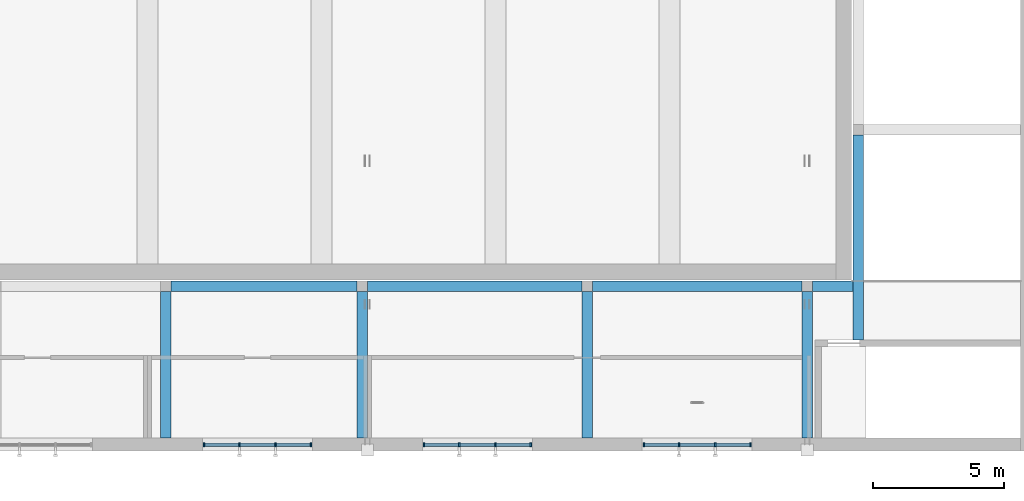
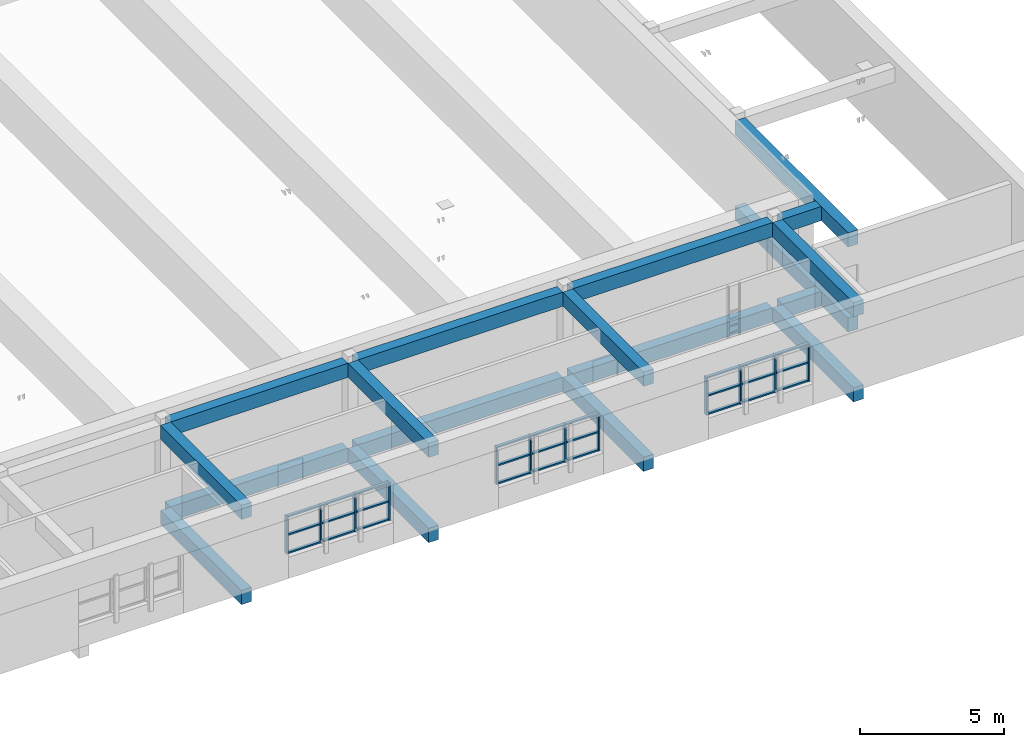
# One storey, part 5 of 28: 39 members, 18 beams, 3 elements without a shape of their own.
"""IFC4 building model written with IfcOpenShell, lengths in metres."""

from ifc_helpers import new_model, si_unit, direction, frame, origin, origin_2d, place, context, subcontext, project, spatial, rectangle, extrude, material, material_profile, profile_set, type_object, element, aggregate, save


model = new_model("IFC4")

# Units and contexts
model_context = context("Model", 3, precision=1e-05, world=origin(), true_north=direction((0.0, 1.0)))
body_context = subcontext(model_context, "Body", "Model", "MODEL_VIEW")
ifc_project = project(units=[si_unit("LENGTHUNIT", "METRE"), si_unit("AREAUNIT", "SQUARE_METRE"), si_unit("VOLUMEUNIT", "CUBIC_METRE"), si_unit("PLANEANGLEUNIT", "RADIAN"), si_unit("MASSUNIT", "GRAM", prefix="KILO")], contexts=[model_context])

# Site, building, storey
site_placement = place(None, origin())
site = spatial("IfcSite", under=ifc_project, at=site_placement, CompositionType="ELEMENT")
building_placement = place(site_placement, origin())
building = spatial("IfcBuilding", under=site, at=building_placement, Name="Ljudholm Concert House", CompositionType="ELEMENT")
storey_placement = place(building_placement, frame((0.0, 0.0, 19.199951171875)))
storey = spatial("IfcBuildingStorey", under=building, at=storey_placement, Name="L04", CompositionType="ELEMENT", Elevation=19.199951171875)

# Curtain wall, members
ifc_material_1 = material(Name="Aluminium curtain wall with impact-rated laminated glass", Category="aluminium")
curtain_wall_type = type_object("IfcCurtainWallType", Name="CURTAIN WALL 1400", PredefinedType="NOTDEFINED", material=ifc_material_1)
curtain_wall_1_placement = place(storey_placement, origin())
curtain_wall_1 = element("IfcCurtainWall", 1, at=curtain_wall_1_placement, inside=storey, type_object=curtain_wall_type, Name="Promenade curtain wall", PredefinedType="NOTDEFINED")
ifc_material_2 = material(Name="Aluminium extrusion", Category="aluminium")
ifc_material_profile_1 = material_profile(ifc_material_2, rectangle(XDim=0.159912109375, YDim=0.06005859375, at=origin_2d()), Name="MULLION 60x160")
ifc_profile_set_1 = profile_set([ifc_material_profile_1], Name="Aluminium extrusion")
member_type_1 = type_object("IfcMemberType", Name="MULLION 60x160", PredefinedType="MULLION", material=ifc_profile_set_1)
member_1_placement = place(storey_placement, frame((64.9599609375, 54.39990234375, 0.900146484375), z_axis=(0.0, 0.0, 1.0), x_axis=(0.0, 1.0, 0.0)))
member_1 = element("IfcMember", 2, at=member_1_placement, type_object=member_type_1, Name="Mullion", PredefinedType="MULLION", context=body_context, shape_type="SweptSolid", body=[
    extrude(rectangle(XDim=0.159912109375, YDim=0.06005859375, at=origin_2d()), origin(), (0.0, 0.0, 1.0), 1.599853515625),
])
member_2_placement = place(storey_placement, frame((66.31005859375, 54.39990234375, 0.900146484375), z_axis=(0.0, 0.0, 1.0), x_axis=(0.0, 1.0, 0.0)))
member_2 = element("IfcMember", 3, at=member_2_placement, type_object=member_type_1, Name="Mullion", PredefinedType="MULLION", context=body_context, shape_type="SweptSolid", body=[
    extrude(rectangle(XDim=0.159912109375, YDim=0.06005859375, at=origin_2d()), origin(), (0.0, 0.0, 1.0), 1.599853515625),
])
member_3_placement = place(storey_placement, frame((67.68994140625, 54.39990234375, 0.900146484375), z_axis=(0.0, 0.0, 1.0), x_axis=(0.0, 1.0, 0.0)))
member_3 = element("IfcMember", 4, at=member_3_placement, type_object=member_type_1, Name="Mullion", PredefinedType="MULLION", context=body_context, shape_type="SweptSolid", body=[
    extrude(rectangle(XDim=0.159912109375, YDim=0.06005859375, at=origin_2d()), origin(), (0.0, 0.0, 1.0), 1.599853515625),
])
member_4_placement = place(storey_placement, frame((69.0400390625, 54.39990234375, 0.900146484375), z_axis=(0.0, 0.0, 1.0), x_axis=(0.0, 1.0, 0.0)))
member_4 = element("IfcMember", 5, at=member_4_placement, type_object=member_type_1, Name="Mullion", PredefinedType="MULLION", context=body_context, shape_type="SweptSolid", body=[
    extrude(rectangle(XDim=0.159912109375, YDim=0.06005859375, at=origin_2d()), origin(), (0.0, 0.0, 1.0), 1.599853515625),
])

curtain_wall_2_placement = place(storey_placement, origin())
curtain_wall_2 = element("IfcCurtainWall", 6, at=curtain_wall_2_placement, inside=storey, type_object=curtain_wall_type, Name="Promenade curtain wall", PredefinedType="NOTDEFINED")
member_5_placement = place(storey_placement, frame((73.360107421875, 54.39990234375, 0.900146484375), z_axis=(0.0, 0.0, 1.0), x_axis=(0.0, 1.0, 0.0)))
member_5 = element("IfcMember", 7, at=member_5_placement, type_object=member_type_1, Name="Mullion", PredefinedType="MULLION", context=body_context, shape_type="SweptSolid", body=[
    extrude(rectangle(XDim=0.159912109375, YDim=0.06005859375, at=origin_2d()), origin(), (0.0, 0.0, 1.0), 1.599853515625),
])
member_6_placement = place(storey_placement, frame((74.7099609375, 54.39990234375, 0.900146484375), z_axis=(0.0, 0.0, 1.0), x_axis=(0.0, 1.0, 0.0)))
member_6 = element("IfcMember", 8, at=member_6_placement, type_object=member_type_1, Name="Mullion", PredefinedType="MULLION", context=body_context, shape_type="SweptSolid", body=[
    extrude(rectangle(XDim=0.159912109375, YDim=0.06005859375, at=origin_2d()), origin(), (0.0, 0.0, 1.0), 1.599853515625),
])
member_7_placement = place(storey_placement, frame((76.090087890625, 54.39990234375, 0.900146484375), z_axis=(0.0, 0.0, 1.0), x_axis=(0.0, 1.0, 0.0)))
member_7 = element("IfcMember", 9, at=member_7_placement, type_object=member_type_1, Name="Mullion", PredefinedType="MULLION", context=body_context, shape_type="SweptSolid", body=[
    extrude(rectangle(XDim=0.159912109375, YDim=0.06005859375, at=origin_2d()), origin(), (0.0, 0.0, 1.0), 1.599853515625),
])
member_8_placement = place(storey_placement, frame((77.43994140625, 54.39990234375, 0.900146484375), z_axis=(0.0, 0.0, 1.0), x_axis=(0.0, 1.0, 0.0)))
member_8 = element("IfcMember", 10, at=member_8_placement, type_object=member_type_1, Name="Mullion", PredefinedType="MULLION", context=body_context, shape_type="SweptSolid", body=[
    extrude(rectangle(XDim=0.159912109375, YDim=0.06005859375, at=origin_2d()), origin(), (0.0, 0.0, 1.0), 1.599853515625),
])

curtain_wall_3_placement = place(storey_placement, origin())
curtain_wall_3 = element("IfcCurtainWall", 11, at=curtain_wall_3_placement, inside=storey, type_object=curtain_wall_type, Name="Promenade curtain wall", PredefinedType="NOTDEFINED")
member_9_placement = place(storey_placement, frame((81.760009765625, 54.39990234375, 0.900146484375), z_axis=(0.0, 0.0, 1.0), x_axis=(0.0, 1.0, 0.0)))
member_9 = element("IfcMember", 12, at=member_9_placement, type_object=member_type_1, Name="Mullion", PredefinedType="MULLION", context=body_context, shape_type="SweptSolid", body=[
    extrude(rectangle(XDim=0.159912109375, YDim=0.06005859375, at=origin_2d()), origin(), (0.0, 0.0, 1.0), 1.599853515625),
])
member_10_placement = place(storey_placement, frame((83.110107421875, 54.39990234375, 0.900146484375), z_axis=(0.0, 0.0, 1.0), x_axis=(0.0, 1.0, 0.0)))
member_10 = element("IfcMember", 13, at=member_10_placement, type_object=member_type_1, Name="Mullion", PredefinedType="MULLION", context=body_context, shape_type="SweptSolid", body=[
    extrude(rectangle(XDim=0.159912109375, YDim=0.06005859375, at=origin_2d()), origin(), (0.0, 0.0, 1.0), 1.599853515625),
])
member_11_placement = place(storey_placement, frame((84.489990234375, 54.39990234375, 0.900146484375), z_axis=(0.0, 0.0, 1.0), x_axis=(0.0, 1.0, 0.0)))
member_11 = element("IfcMember", 14, at=member_11_placement, type_object=member_type_1, Name="Mullion", PredefinedType="MULLION", context=body_context, shape_type="SweptSolid", body=[
    extrude(rectangle(XDim=0.159912109375, YDim=0.06005859375, at=origin_2d()), origin(), (0.0, 0.0, 1.0), 1.599853515625),
])
member_12_placement = place(storey_placement, frame((85.840087890625, 54.39990234375, 0.900146484375), z_axis=(0.0, 0.0, 1.0), x_axis=(0.0, 1.0, 0.0)))
member_12 = element("IfcMember", 15, at=member_12_placement, type_object=member_type_1, Name="Mullion", PredefinedType="MULLION", context=body_context, shape_type="SweptSolid", body=[
    extrude(rectangle(XDim=0.159912109375, YDim=0.06005859375, at=origin_2d()), origin(), (0.0, 0.0, 1.0), 1.599853515625),
])

# Beams
ifc_material_3 = material(Name="Concrete 6,500 psi", Category="concrete")
ifc_material_profile_2 = material_profile(ifc_material_3, rectangle(XDim=0.39990234375, YDim=0.60009765625, at=origin_2d()), Name="RC BEAM 400x600")
ifc_profile_set_2 = profile_set([ifc_material_profile_2], Name="Concrete 6,500 psi")
beam_type = type_object("IfcBeamType", Name="RC BEAM 400x600", PredefinedType="BEAM", material=ifc_profile_set_2)
beam_1_placement = place(storey_placement, frame((63.699951171875, 60.449951171875, -0.550048828125), z_axis=(1.0, 0.0, 0.0), x_axis=(0.0, 1.0, 0.0)))
element("IfcBeam", 16, at=beam_1_placement, inside=storey, type_object=beam_type, Name="Ring beam", PredefinedType="BEAM", context=body_context, shape_type="SweptSolid", body=[
    extrude(rectangle(XDim=0.39990234375, YDim=0.60009765625, at=origin_2d()), origin(), (0.0, 0.0, 1.0), 7.10009765625),
])
beam_2_placement = place(storey_placement, frame((71.199951171875, 60.449951171875, -0.550048828125), z_axis=(1.0, 0.0, 0.0), x_axis=(0.0, 1.0, 0.0)))
element("IfcBeam", 17, at=beam_2_placement, inside=storey, type_object=beam_type, Name="Ring beam", PredefinedType="BEAM", context=body_context, shape_type="SweptSolid", body=[
    extrude(rectangle(XDim=0.39990234375, YDim=0.60009765625, at=origin_2d()), origin(), (0.0, 0.0, 1.0), 8.199951171875),
])
beam_3_placement = place(storey_placement, frame((79.800048828125, 60.449951171875, -0.550048828125), z_axis=(1.0, 0.0, 0.0), x_axis=(0.0, 1.0, 0.0)))
element("IfcBeam", 18, at=beam_3_placement, inside=storey, type_object=beam_type, Name="Ring beam", PredefinedType="BEAM", context=body_context, shape_type="SweptSolid", body=[
    extrude(rectangle(XDim=0.39990234375, YDim=0.60009765625, at=origin_2d()), origin(), (0.0, 0.0, 1.0), 8.0),
])
for number, where, z_axis, x_axis, name in (
    (19, (63.5, 60.25, -0.550048828125), (0.0, -1.0, 0.0), (1.0, 0.0, 0.0), "Ring cross beam"),
    (20, (71.0, 60.25, -0.550048828125), (0.0, -1.0, 0.0), (1.0, 0.0, 0.0), "Ring cross beam"),
    (21, (79.60009765625, 60.25, -0.550048828125), (0.0, -1.0, 0.0), (1.0, 0.0, 0.0), "Ring cross beam"),
    (22, (88.0, 60.25, -0.550048828125), (0.0, -1.0, 0.0), (1.0, 0.0, 0.0), "Ring cross beam"),
):
    element("IfcBeam", number, at=place(storey_placement, frame(where, z_axis=z_axis, x_axis=x_axis)), inside=storey, type_object=beam_type, Name=name, PredefinedType="BEAM", context=body_context, shape_type="SweptSolid", body=[
        extrude(rectangle(XDim=0.39990234375, YDim=0.60009765625, at=origin_2d()), origin(), (0.0, 0.0, 1.0), 5.60009765625),
    ])
beam_4_placement = place(storey_placement, frame((88.199951171875, 60.449951171875, -0.550048828125), z_axis=(1.0, 0.0, 0.0), x_axis=(0.0, 1.0, 0.0)))
element("IfcBeam", 23, at=beam_4_placement, inside=storey, type_object=beam_type, Name="Ring beam", PredefinedType="BEAM", context=body_context, shape_type="SweptSolid", body=[
    extrude(rectangle(XDim=0.39990234375, YDim=0.60009765625, at=origin_2d()), origin(), (0.0, 0.0, 1.0), 1.550048828125),
])
beam_5_placement = place(storey_placement, frame((89.949951171875, 58.39990234375, -0.550048828125), z_axis=(0.0, 1.0, 0.0), x_axis=(-1.0, 0.0, 0.0)))
element("IfcBeam", 24, at=beam_5_placement, inside=storey, type_object=beam_type, Name="Ring beam", PredefinedType="BEAM", context=body_context, shape_type="SweptSolid", body=[
    extrude(rectangle(XDim=0.39990234375, YDim=0.60009765625, at=origin_2d()), origin(), (0.0, 0.0, 1.0), 7.830078125),
])
beam_6_placement = place(storey_placement, frame((63.699951171875, 60.449951171875, 3.050048828125), z_axis=(1.0, 0.0, 0.0), x_axis=(0.0, 1.0, 0.0)))
element("IfcBeam", 25, at=beam_6_placement, inside=storey, type_object=beam_type, Name="Ring beam", PredefinedType="BEAM", context=body_context, shape_type="SweptSolid", body=[
    extrude(rectangle(XDim=0.39990234375, YDim=0.60009765625, at=origin_2d()), origin(), (0.0, 0.0, 1.0), 7.10009765625),
])
beam_7_placement = place(storey_placement, frame((71.199951171875, 60.449951171875, 3.050048828125), z_axis=(1.0, 0.0, 0.0), x_axis=(0.0, 1.0, 0.0)))
element("IfcBeam", 26, at=beam_7_placement, inside=storey, type_object=beam_type, Name="Ring beam", PredefinedType="BEAM", context=body_context, shape_type="SweptSolid", body=[
    extrude(rectangle(XDim=0.39990234375, YDim=0.60009765625, at=origin_2d()), origin(), (0.0, 0.0, 1.0), 8.199951171875),
])
beam_8_placement = place(storey_placement, frame((79.800048828125, 60.449951171875, 3.050048828125), z_axis=(1.0, 0.0, 0.0), x_axis=(0.0, 1.0, 0.0)))
element("IfcBeam", 27, at=beam_8_placement, inside=storey, type_object=beam_type, Name="Ring beam", PredefinedType="BEAM", context=body_context, shape_type="SweptSolid", body=[
    extrude(rectangle(XDim=0.39990234375, YDim=0.60009765625, at=origin_2d()), origin(), (0.0, 0.0, 1.0), 8.0),
])
for number, where, z_axis, x_axis, name in (
    (28, (63.5, 60.25, 3.050048828125), (0.0, -1.0, 0.0), (1.0, 0.0, 0.0), "Ring cross beam"),
    (29, (71.0, 60.25, 3.050048828125), (0.0, -1.0, 0.0), (1.0, 0.0, 0.0), "Ring cross beam"),
    (30, (79.60009765625, 60.25, 3.050048828125), (0.0, -1.0, 0.0), (1.0, 0.0, 0.0), "Ring cross beam"),
    (31, (88.0, 60.25, 3.050048828125), (0.0, -1.0, 0.0), (1.0, 0.0, 0.0), "Ring cross beam"),
):
    element("IfcBeam", number, at=place(storey_placement, frame(where, z_axis=z_axis, x_axis=x_axis)), inside=storey, type_object=beam_type, Name=name, PredefinedType="BEAM", context=body_context, shape_type="SweptSolid", body=[
        extrude(rectangle(XDim=0.39990234375, YDim=0.60009765625, at=origin_2d()), origin(), (0.0, 0.0, 1.0), 5.60009765625),
    ])
beam_9_placement = place(storey_placement, frame((88.199951171875, 60.449951171875, 3.050048828125), z_axis=(1.0, 0.0, 0.0), x_axis=(0.0, 1.0, 0.0)))
element("IfcBeam", 32, at=beam_9_placement, inside=storey, type_object=beam_type, Name="Ring beam", PredefinedType="BEAM", context=body_context, shape_type="SweptSolid", body=[
    extrude(rectangle(XDim=0.39990234375, YDim=0.60009765625, at=origin_2d()), origin(), (0.0, 0.0, 1.0), 1.550048828125),
])
beam_10_placement = place(storey_placement, frame((89.949951171875, 58.39990234375, 3.050048828125), z_axis=(0.0, 1.0, 0.0), x_axis=(-1.0, 0.0, 0.0)))
element("IfcBeam", 33, at=beam_10_placement, inside=storey, type_object=beam_type, Name="Ring beam", PredefinedType="BEAM", context=body_context, shape_type="SweptSolid", body=[
    extrude(rectangle(XDim=0.39990234375, YDim=0.60009765625, at=origin_2d()), origin(), (0.0, 0.0, 1.0), 7.830078125),
])

# Member
ifc_material_4 = material(Name="Aluminium extrusion", Category="aluminium")
ifc_material_profile_3 = material_profile(ifc_material_4, rectangle(XDim=0.1201171875, YDim=0.06005859375, at=origin_2d()), Name="TRANSOM 60x120")
ifc_profile_set_3 = profile_set([ifc_material_profile_3], Name="Aluminium extrusion")
member_type_2 = type_object("IfcMemberType", Name="TRANSOM 60x120", PredefinedType="USERDEFINED", material=ifc_profile_set_3)
member_13_placement = place(storey_placement, frame((64.989990234375, 54.39990234375, 0.929931640625), z_axis=(1.0, 0.0, 0.0), x_axis=(0.0, 1.0, 0.0)))
member_13 = element("IfcMember", 34, at=member_13_placement, type_object=member_type_2, Name="Transom", ObjectType="TRANSOM", PredefinedType="USERDEFINED", context=body_context, shape_type="SweptSolid", body=[
    extrude(rectangle(XDim=0.1201171875, YDim=0.06005859375, at=origin_2d()), origin(), (0.0, 0.0, 1.0), 1.2900390625),
])

member_14_placement = place(storey_placement, frame((64.989990234375, 54.39990234375, 1.699951171875), z_axis=(1.0, 0.0, 0.0), x_axis=(0.0, 1.0, 0.0)))
member_14 = element("IfcMember", 35, at=member_14_placement, type_object=member_type_2, Name="Transom", ObjectType="TRANSOM", PredefinedType="USERDEFINED", context=body_context, shape_type="SweptSolid", body=[
    extrude(rectangle(XDim=0.1201171875, YDim=0.06005859375, at=origin_2d()), origin(), (0.0, 0.0, 1.0), 1.2900390625),
])

member_15_placement = place(storey_placement, frame((64.989990234375, 54.39990234375, 2.469970703125), z_axis=(1.0, 0.0, 0.0), x_axis=(0.0, 1.0, 0.0)))
member_15 = element("IfcMember", 36, at=member_15_placement, type_object=member_type_2, Name="Transom", ObjectType="TRANSOM", PredefinedType="USERDEFINED", context=body_context, shape_type="SweptSolid", body=[
    extrude(rectangle(XDim=0.1201171875, YDim=0.06005859375, at=origin_2d()), origin(), (0.0, 0.0, 1.0), 1.2900390625),
])

member_16_placement = place(storey_placement, frame((66.340087890625, 54.39990234375, 0.929931640625), z_axis=(1.0, 0.0, 0.0), x_axis=(0.0, 1.0, 0.0)))
member_16 = element("IfcMember", 37, at=member_16_placement, type_object=member_type_2, Name="Transom", ObjectType="TRANSOM", PredefinedType="USERDEFINED", context=body_context, shape_type="SweptSolid", body=[
    extrude(rectangle(XDim=0.1201171875, YDim=0.06005859375, at=origin_2d()), origin(), (0.0, 0.0, 1.0), 1.31982421875),
])

member_17_placement = place(storey_placement, frame((66.340087890625, 54.39990234375, 1.699951171875), z_axis=(1.0, 0.0, 0.0), x_axis=(0.0, 1.0, 0.0)))
member_17 = element("IfcMember", 38, at=member_17_placement, type_object=member_type_2, Name="Transom", ObjectType="TRANSOM", PredefinedType="USERDEFINED", context=body_context, shape_type="SweptSolid", body=[
    extrude(rectangle(XDim=0.1201171875, YDim=0.06005859375, at=origin_2d()), origin(), (0.0, 0.0, 1.0), 1.31982421875),
])

member_18_placement = place(storey_placement, frame((66.340087890625, 54.39990234375, 2.469970703125), z_axis=(1.0, 0.0, 0.0), x_axis=(0.0, 1.0, 0.0)))
member_18 = element("IfcMember", 39, at=member_18_placement, type_object=member_type_2, Name="Transom", ObjectType="TRANSOM", PredefinedType="USERDEFINED", context=body_context, shape_type="SweptSolid", body=[
    extrude(rectangle(XDim=0.1201171875, YDim=0.06005859375, at=origin_2d()), origin(), (0.0, 0.0, 1.0), 1.31982421875),
])

member_19_placement = place(storey_placement, frame((67.719970703125, 54.39990234375, 0.929931640625), z_axis=(1.0, 0.0, 0.0), x_axis=(0.0, 1.0, 0.0)))
member_19 = element("IfcMember", 40, at=member_19_placement, type_object=member_type_2, Name="Transom", ObjectType="TRANSOM", PredefinedType="USERDEFINED", context=body_context, shape_type="SweptSolid", body=[
    extrude(rectangle(XDim=0.1201171875, YDim=0.06005859375, at=origin_2d()), origin(), (0.0, 0.0, 1.0), 1.2900390625),
])

member_20_placement = place(storey_placement, frame((67.719970703125, 54.39990234375, 1.699951171875), z_axis=(1.0, 0.0, 0.0), x_axis=(0.0, 1.0, 0.0)))
member_20 = element("IfcMember", 41, at=member_20_placement, type_object=member_type_2, Name="Transom", ObjectType="TRANSOM", PredefinedType="USERDEFINED", context=body_context, shape_type="SweptSolid", body=[
    extrude(rectangle(XDim=0.1201171875, YDim=0.06005859375, at=origin_2d()), origin(), (0.0, 0.0, 1.0), 1.2900390625),
])

member_21_placement = place(storey_placement, frame((67.719970703125, 54.39990234375, 2.469970703125), z_axis=(1.0, 0.0, 0.0), x_axis=(0.0, 1.0, 0.0)))
member_21 = element("IfcMember", 42, at=member_21_placement, type_object=member_type_2, Name="Transom", ObjectType="TRANSOM", PredefinedType="USERDEFINED", context=body_context, shape_type="SweptSolid", body=[
    extrude(rectangle(XDim=0.1201171875, YDim=0.06005859375, at=origin_2d()), origin(), (0.0, 0.0, 1.0), 1.2900390625),
])

aggregate(curtain_wall_1, [member_1, member_2, member_3, member_4, member_13, member_14, member_15, member_16, member_17, member_18, member_19, member_20, member_21])

member_22_placement = place(storey_placement, frame((73.389892578125, 54.39990234375, 0.929931640625), z_axis=(1.0, 0.0, 0.0), x_axis=(0.0, 1.0, 0.0)))
member_22 = element("IfcMember", 43, at=member_22_placement, type_object=member_type_2, Name="Transom", ObjectType="TRANSOM", PredefinedType="USERDEFINED", context=body_context, shape_type="SweptSolid", body=[
    extrude(rectangle(XDim=0.1201171875, YDim=0.06005859375, at=origin_2d()), origin(), (0.0, 0.0, 1.0), 1.2900390625),
])

member_23_placement = place(storey_placement, frame((73.389892578125, 54.39990234375, 1.699951171875), z_axis=(1.0, 0.0, 0.0), x_axis=(0.0, 1.0, 0.0)))
member_23 = element("IfcMember", 44, at=member_23_placement, type_object=member_type_2, Name="Transom", ObjectType="TRANSOM", PredefinedType="USERDEFINED", context=body_context, shape_type="SweptSolid", body=[
    extrude(rectangle(XDim=0.1201171875, YDim=0.06005859375, at=origin_2d()), origin(), (0.0, 0.0, 1.0), 1.2900390625),
])

member_24_placement = place(storey_placement, frame((73.389892578125, 54.39990234375, 2.469970703125), z_axis=(1.0, 0.0, 0.0), x_axis=(0.0, 1.0, 0.0)))
member_24 = element("IfcMember", 45, at=member_24_placement, type_object=member_type_2, Name="Transom", ObjectType="TRANSOM", PredefinedType="USERDEFINED", context=body_context, shape_type="SweptSolid", body=[
    extrude(rectangle(XDim=0.1201171875, YDim=0.06005859375, at=origin_2d()), origin(), (0.0, 0.0, 1.0), 1.2900390625),
])

member_25_placement = place(storey_placement, frame((74.739990234375, 54.39990234375, 0.929931640625), z_axis=(1.0, 0.0, 0.0), x_axis=(0.0, 1.0, 0.0)))
member_25 = element("IfcMember", 46, at=member_25_placement, type_object=member_type_2, Name="Transom", ObjectType="TRANSOM", PredefinedType="USERDEFINED", context=body_context, shape_type="SweptSolid", body=[
    extrude(rectangle(XDim=0.1201171875, YDim=0.06005859375, at=origin_2d()), origin(), (0.0, 0.0, 1.0), 1.320068359375),
])

member_26_placement = place(storey_placement, frame((74.739990234375, 54.39990234375, 1.699951171875), z_axis=(1.0, 0.0, 0.0), x_axis=(0.0, 1.0, 0.0)))
member_26 = element("IfcMember", 47, at=member_26_placement, type_object=member_type_2, Name="Transom", ObjectType="TRANSOM", PredefinedType="USERDEFINED", context=body_context, shape_type="SweptSolid", body=[
    extrude(rectangle(XDim=0.1201171875, YDim=0.06005859375, at=origin_2d()), origin(), (0.0, 0.0, 1.0), 1.320068359375),
])

member_27_placement = place(storey_placement, frame((74.739990234375, 54.39990234375, 2.469970703125), z_axis=(1.0, 0.0, 0.0), x_axis=(0.0, 1.0, 0.0)))
member_27 = element("IfcMember", 48, at=member_27_placement, type_object=member_type_2, Name="Transom", ObjectType="TRANSOM", PredefinedType="USERDEFINED", context=body_context, shape_type="SweptSolid", body=[
    extrude(rectangle(XDim=0.1201171875, YDim=0.06005859375, at=origin_2d()), origin(), (0.0, 0.0, 1.0), 1.320068359375),
])

member_28_placement = place(storey_placement, frame((76.1201171875, 54.39990234375, 0.929931640625), z_axis=(1.0, 0.0, 0.0), x_axis=(0.0, 1.0, 0.0)))
member_28 = element("IfcMember", 49, at=member_28_placement, type_object=member_type_2, Name="Transom", ObjectType="TRANSOM", PredefinedType="USERDEFINED", context=body_context, shape_type="SweptSolid", body=[
    extrude(rectangle(XDim=0.1201171875, YDim=0.06005859375, at=origin_2d()), origin(), (0.0, 0.0, 1.0), 1.289794921875),
])

member_29_placement = place(storey_placement, frame((76.1201171875, 54.39990234375, 1.699951171875), z_axis=(1.0, 0.0, 0.0), x_axis=(0.0, 1.0, 0.0)))
member_29 = element("IfcMember", 50, at=member_29_placement, type_object=member_type_2, Name="Transom", ObjectType="TRANSOM", PredefinedType="USERDEFINED", context=body_context, shape_type="SweptSolid", body=[
    extrude(rectangle(XDim=0.1201171875, YDim=0.06005859375, at=origin_2d()), origin(), (0.0, 0.0, 1.0), 1.289794921875),
])

member_30_placement = place(storey_placement, frame((76.1201171875, 54.39990234375, 2.469970703125), z_axis=(1.0, 0.0, 0.0), x_axis=(0.0, 1.0, 0.0)))
member_30 = element("IfcMember", 51, at=member_30_placement, type_object=member_type_2, Name="Transom", ObjectType="TRANSOM", PredefinedType="USERDEFINED", context=body_context, shape_type="SweptSolid", body=[
    extrude(rectangle(XDim=0.1201171875, YDim=0.06005859375, at=origin_2d()), origin(), (0.0, 0.0, 1.0), 1.289794921875),
])

aggregate(curtain_wall_2, [member_5, member_6, member_7, member_8, member_22, member_23, member_24, member_25, member_26, member_27, member_28, member_29, member_30])

member_31_placement = place(storey_placement, frame((81.7900390625, 54.39990234375, 0.929931640625), z_axis=(1.0, 0.0, 0.0), x_axis=(0.0, 1.0, 0.0)))
member_31 = element("IfcMember", 52, at=member_31_placement, type_object=member_type_2, Name="Transom", ObjectType="TRANSOM", PredefinedType="USERDEFINED", context=body_context, shape_type="SweptSolid", body=[
    extrude(rectangle(XDim=0.1201171875, YDim=0.06005859375, at=origin_2d()), origin(), (0.0, 0.0, 1.0), 1.2900390625),
])

member_32_placement = place(storey_placement, frame((81.7900390625, 54.39990234375, 1.699951171875), z_axis=(1.0, 0.0, 0.0), x_axis=(0.0, 1.0, 0.0)))
member_32 = element("IfcMember", 53, at=member_32_placement, type_object=member_type_2, Name="Transom", ObjectType="TRANSOM", PredefinedType="USERDEFINED", context=body_context, shape_type="SweptSolid", body=[
    extrude(rectangle(XDim=0.1201171875, YDim=0.06005859375, at=origin_2d()), origin(), (0.0, 0.0, 1.0), 1.2900390625),
])

member_33_placement = place(storey_placement, frame((81.7900390625, 54.39990234375, 2.469970703125), z_axis=(1.0, 0.0, 0.0), x_axis=(0.0, 1.0, 0.0)))
member_33 = element("IfcMember", 54, at=member_33_placement, type_object=member_type_2, Name="Transom", ObjectType="TRANSOM", PredefinedType="USERDEFINED", context=body_context, shape_type="SweptSolid", body=[
    extrude(rectangle(XDim=0.1201171875, YDim=0.06005859375, at=origin_2d()), origin(), (0.0, 0.0, 1.0), 1.2900390625),
])

member_34_placement = place(storey_placement, frame((83.139892578125, 54.39990234375, 0.929931640625), z_axis=(1.0, 0.0, 0.0), x_axis=(0.0, 1.0, 0.0)))
member_34 = element("IfcMember", 55, at=member_34_placement, type_object=member_type_2, Name="Transom", ObjectType="TRANSOM", PredefinedType="USERDEFINED", context=body_context, shape_type="SweptSolid", body=[
    extrude(rectangle(XDim=0.1201171875, YDim=0.06005859375, at=origin_2d()), origin(), (0.0, 0.0, 1.0), 1.320068359375),
])

member_35_placement = place(storey_placement, frame((83.139892578125, 54.39990234375, 1.699951171875), z_axis=(1.0, 0.0, 0.0), x_axis=(0.0, 1.0, 0.0)))
member_35 = element("IfcMember", 56, at=member_35_placement, type_object=member_type_2, Name="Transom", ObjectType="TRANSOM", PredefinedType="USERDEFINED", context=body_context, shape_type="SweptSolid", body=[
    extrude(rectangle(XDim=0.1201171875, YDim=0.06005859375, at=origin_2d()), origin(), (0.0, 0.0, 1.0), 1.320068359375),
])

member_36_placement = place(storey_placement, frame((83.139892578125, 54.39990234375, 2.469970703125), z_axis=(1.0, 0.0, 0.0), x_axis=(0.0, 1.0, 0.0)))
member_36 = element("IfcMember", 57, at=member_36_placement, type_object=member_type_2, Name="Transom", ObjectType="TRANSOM", PredefinedType="USERDEFINED", context=body_context, shape_type="SweptSolid", body=[
    extrude(rectangle(XDim=0.1201171875, YDim=0.06005859375, at=origin_2d()), origin(), (0.0, 0.0, 1.0), 1.320068359375),
])

member_37_placement = place(storey_placement, frame((84.52001953125, 54.39990234375, 0.929931640625), z_axis=(1.0, 0.0, 0.0), x_axis=(0.0, 1.0, 0.0)))
member_37 = element("IfcMember", 58, at=member_37_placement, type_object=member_type_2, Name="Transom", ObjectType="TRANSOM", PredefinedType="USERDEFINED", context=body_context, shape_type="SweptSolid", body=[
    extrude(rectangle(XDim=0.1201171875, YDim=0.06005859375, at=origin_2d()), origin(), (0.0, 0.0, 1.0), 1.2900390625),
])

member_38_placement = place(storey_placement, frame((84.52001953125, 54.39990234375, 1.699951171875), z_axis=(1.0, 0.0, 0.0), x_axis=(0.0, 1.0, 0.0)))
member_38 = element("IfcMember", 59, at=member_38_placement, type_object=member_type_2, Name="Transom", ObjectType="TRANSOM", PredefinedType="USERDEFINED", context=body_context, shape_type="SweptSolid", body=[
    extrude(rectangle(XDim=0.1201171875, YDim=0.06005859375, at=origin_2d()), origin(), (0.0, 0.0, 1.0), 1.2900390625),
])

member_39_placement = place(storey_placement, frame((84.52001953125, 54.39990234375, 2.469970703125), z_axis=(1.0, 0.0, 0.0), x_axis=(0.0, 1.0, 0.0)))
member_39 = element("IfcMember", 60, at=member_39_placement, type_object=member_type_2, Name="Transom", ObjectType="TRANSOM", PredefinedType="USERDEFINED", context=body_context, shape_type="SweptSolid", body=[
    extrude(rectangle(XDim=0.1201171875, YDim=0.06005859375, at=origin_2d()), origin(), (0.0, 0.0, 1.0), 1.2900390625),
])

aggregate(curtain_wall_3, [member_9, member_10, member_11, member_12, member_31, member_32, member_33, member_34, member_35, member_36, member_37, member_38, member_39])

save(model, "model.ifc")
